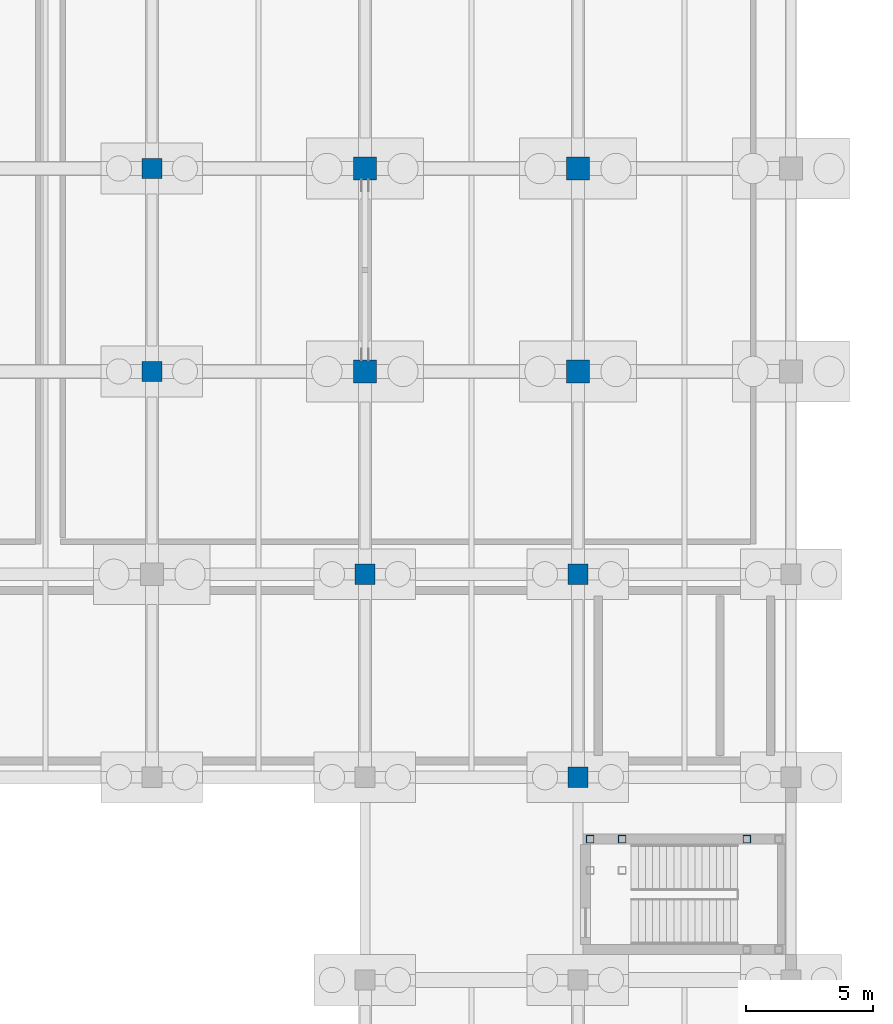
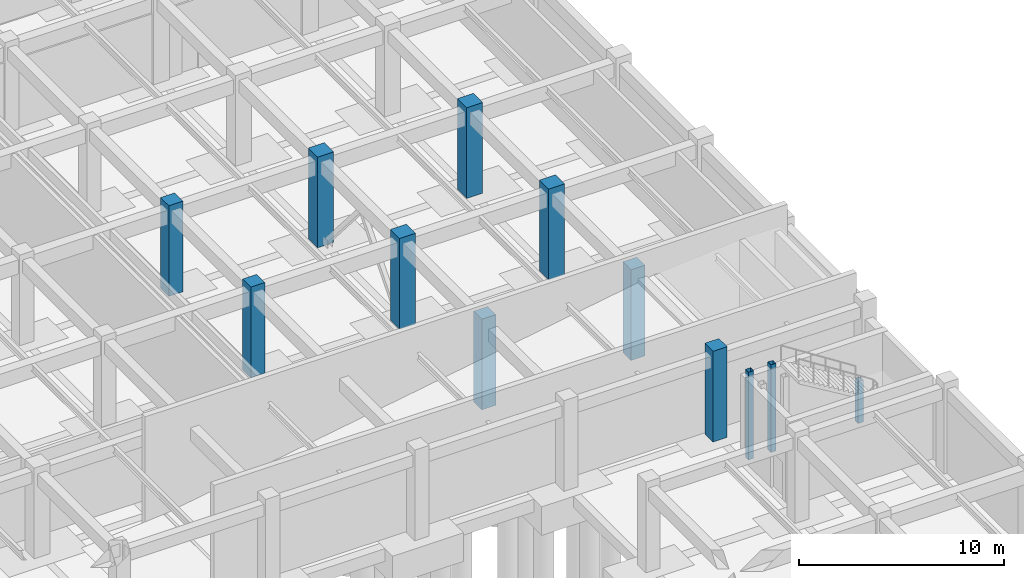
# One storey, part 22 of 56: 12 columns.
"""IFC4 building model written with IfcOpenShell, lengths in metres."""

import ifcopenshell
import ifcopenshell.guid

model = None  # the IFC model being written
_history = None  # IfcOwnerHistory: only IFC2X3 demands one
_inside = {}  # id of a spatial element -> (the spatial element, [elements in it])
_under = {}  # id of a project, library or spatial element -> (it, [spatial elements below it])
_declared = {}  # id of a project -> (the project, [libraries it declares])
_typed = {}  # id of a type object -> (the type object, [elements of that type])
_made_of = {}  # id of a material, layer set ... -> (it, [elements and type objects made of it])


def new_model(schema):
    """Start an empty IFC model of exactly this schema.

    Asked for "IFC4X3", IfcOpenShell would pick the latest addendum, in which some entities
    have other attributes; the version numbers below select the first issue.
    IFC2X3 requires an IfcOwnerHistory on every rooted entity: one is made here for all.
    """
    global model, _history
    if schema == "IFC4X3":
        model = ifcopenshell.file(schema_version=(4, 3, 0, 0))
    else:
        model = ifcopenshell.file(schema=schema)
    _inside.clear()
    _under.clear()
    _declared.clear()
    _typed.clear()
    _made_of.clear()
    _history = None
    if model.schema == "IFC2X3":
        org = make("IfcOrganization", Name="unknown")
        user = make(
            "IfcPersonAndOrganization",
            ThePerson=make("IfcPerson", FamilyName="unknown"),
            TheOrganization=org,
        )
        app = make(
            "IfcApplication",
            ApplicationDeveloper=org,
            Version="unknown",
            ApplicationFullName="unknown",
            ApplicationIdentifier="unknown",
        )
        _history = make(
            "IfcOwnerHistory",
            OwningUser=user,
            OwningApplication=app,
            ChangeAction="ADDED",
            CreationDate=0,
        )
    return model


def make(cls, **values):
    """One entity of the class cls with the attributes given. An attribute that is None is left unset."""
    return model.create_entity(
        cls, **{name: value for name, value in values.items() if value is not None}
    )


def rooted(cls, **values):
    """An entity with a GlobalId (a new one), such as an element, a storey or a relation."""
    return make(cls, GlobalId=ifcopenshell.guid.new(), OwnerHistory=_history, **values)


def si_unit(unit_type, name, prefix=None):
    """IfcSIUnit, for example si_unit("LENGTHUNIT", "METRE", prefix="MILLI")."""
    return make("IfcSIUnit", UnitType=unit_type, Prefix=prefix, Name=name)


def assignment(units):
    """IfcUnitAssignment: the units of a project."""
    return None if units is None else make("IfcUnitAssignment", Units=units)


def point(xyz):
    """IfcCartesianPoint."""
    return None if xyz is None else make("IfcCartesianPoint", Coordinates=xyz)


def direction(xyz):
    """IfcDirection."""
    return None if xyz is None else make("IfcDirection", DirectionRatios=xyz)


def frame(location, z_axis=None, x_axis=None):
    """IfcAxis2Placement3D, a coordinate frame: its origin and axes. An axis left out is left unset."""
    return make(
        "IfcAxis2Placement3D",
        Location=point(location),
        Axis=direction(z_axis),
        RefDirection=direction(x_axis),
    )


def frame_2d(location, x_axis=None):
    """IfcAxis2Placement2D, a coordinate frame in the plane: its origin and x axis."""
    return make(
        "IfcAxis2Placement2D", Location=point(location), RefDirection=direction(x_axis)
    )


def origin():
    """The frame at (0, 0, 0) with its axes left unset."""
    return frame((0.0, 0.0, 0.0))


def origin_2d():
    """The frame at (0, 0) in the plane with its x axis left unset."""
    return frame_2d((0.0, 0.0))


def place(relative_to, where):
    """IfcLocalPlacement: puts the frame where relative to a parent placement (None: the world)."""
    return make(
        "IfcLocalPlacement", PlacementRelTo=relative_to, RelativePlacement=where
    )


def context(
    kind, dimensions, precision=None, world=None, true_north=None, identifier=None
):
    """IfcGeometricRepresentationContext, for example the 3D "Model" context."""
    return make(
        "IfcGeometricRepresentationContext",
        ContextIdentifier=identifier,
        ContextType=kind,
        CoordinateSpaceDimension=dimensions,
        Precision=precision,
        WorldCoordinateSystem=world,
        TrueNorth=true_north,
    )


def subcontext(parent, identifier, kind, view, scale=None):
    """IfcGeometricRepresentationSubContext, for example "Body" below "Model"."""
    return make(
        "IfcGeometricRepresentationSubContext",
        ContextIdentifier=identifier,
        ContextType=kind,
        ParentContext=parent,
        TargetScale=scale,
        TargetView=view,
    )


def project(units=None, contexts=None):
    """IfcProject with its units and contexts."""
    return rooted(
        "IfcProject",
        Name="project",
        RepresentationContexts=contexts,
        UnitsInContext=assignment(units),
    )


def spatial(cls, under=None, at=None, **own):
    """A site, building, storey or space (cls), placed at a placement, below another one or the project."""
    s = rooted(cls, ObjectPlacement=at, **own)
    if under is not None:
        _under.setdefault(under.id(), (under, []))[1].append(s)
    return s


def profile(cls, at=None, kind="AREA", **sizes):
    """A parametric profile (cls). Its sizes go by their IFC names, for example OverallWidth=200.0."""
    return make(cls, ProfileType=kind, Position=at, **sizes)


def rectangle(**sizes):
    """IfcRectangleProfileDef."""
    return profile("IfcRectangleProfileDef", **sizes)


def hollow_rectangle(**sizes):
    """IfcRectangleHollowProfileDef."""
    return profile("IfcRectangleHollowProfileDef", **sizes)


def extrude(swept, where, along, depth):
    """IfcExtrudedAreaSolid: the profile swept, set in the frame where, extruded along a direction by depth."""
    return make(
        "IfcExtrudedAreaSolid",
        SweptArea=swept,
        Position=where,
        ExtrudedDirection=direction(along),
        Depth=depth,
    )


def shape(context_of_items, identifier, shape_type, items):
    """IfcShapeRepresentation: the items that make up one representation, for example the "Body"."""
    return make(
        "IfcShapeRepresentation",
        ContextOfItems=context_of_items,
        RepresentationIdentifier=identifier,
        RepresentationType=shape_type,
        Items=items,
    )


def material(Name=None, Category=None):
    """IfcMaterial."""
    return make("IfcMaterial", Name=Name, Category=Category)


def material_profile(
    of_material, cross_section, Name=None, Category=None, Priority=None
):
    """IfcMaterialProfile: a cross section and its material."""
    return make(
        "IfcMaterialProfile",
        Name=Name,
        Material=of_material,
        Profile=cross_section,
        Priority=Priority,
        Category=Category,
    )


def profile_set(profiles, Name=None, composite=None):
    """IfcMaterialProfileSet."""
    return make(
        "IfcMaterialProfileSet",
        Name=Name,
        MaterialProfiles=profiles,
        CompositeProfile=composite,
    )


def made_of(thing, what):
    """Note that an element or type object is made of a material, layer set ...; save() writes the relation."""
    if what is not None:
        _made_of.setdefault(what.id(), (what, []))[1].append(thing)
    return thing


def type_object(cls, material=None, **own):
    """A type object (cls), such as IfcWallType, which elements share."""
    return made_of(rooted(cls, **own), material)


def element(
    cls,
    number,
    at=None,
    inside=None,
    cuts=None,
    type_object=None,
    material=None,
    context=None,
    identifier="Body",
    shape_type=None,
    held_by="IfcProductDefinitionShape",
    body=None,
    shapes=None,
    **own,
):
    """One element of the class cls, such as IfcWall. Its Tag is "e" and its number.

    at: its placement. inside: the storey or other place that contains it. cuts: it is an
    opening in that element (IfcRelVoidsElement). A single representation is given by context,
    identifier, shape_type and body (its items); several are given by shapes. held_by: the class
    of the entity that holds the representations. save() writes the other relations.
    """
    e = rooted(cls, Tag="e%d" % number, ObjectPlacement=at, **own)
    if body is not None:
        shapes = [shape(context, identifier, shape_type, body)]
    if shapes is not None:
        e.Representation = make(held_by, Representations=shapes)
    if inside is not None:
        _inside.setdefault(inside.id(), (inside, []))[1].append(e)
    if cuts is not None:
        rooted(
            "IfcRelVoidsElement", RelatingBuildingElement=cuts, RelatedOpeningElement=e
        )
    if type_object is not None:
        _typed.setdefault(type_object.id(), (type_object, []))[1].append(e)
    return made_of(e, material)


def aggregate(whole, parts):
    """IfcRelAggregates: a whole, such as a stair, and the parts it consists of."""
    return rooted("IfcRelAggregates", RelatingObject=whole, RelatedObjects=parts)


def save(model, path):
    """Write the relations noted so far, then the file.

    IfcRelAggregates (storeys below a building ...), IfcRelContainedInSpatialStructure (elements
    in a storey), IfcRelDefinesByType, IfcRelAssociatesMaterial and IfcRelDeclares: one each for
    every whole, place, type object, material and project.
    """
    for whole, parts in _under.values():
        aggregate(whole, parts)
    for where, things in _inside.values():
        rooted(
            "IfcRelContainedInSpatialStructure",
            RelatedElements=things,
            RelatingStructure=where,
        )
    for kind, things in _typed.values():
        rooted("IfcRelDefinesByType", RelatedObjects=things, RelatingType=kind)
    for what, things in _made_of.values():
        rooted("IfcRelAssociatesMaterial", RelatedObjects=things, RelatingMaterial=what)
    for by, libraries in _declared.values():
        rooted("IfcRelDeclares", RelatingContext=by, RelatedDefinitions=libraries)
    model.write(path)


model = new_model("IFC4")

# Units and contexts
model_context = context("Model", 3, precision=1e-05, world=origin(), true_north=direction((0.0, 1.0)))
body_context = subcontext(model_context, "Body", "Model", "MODEL_VIEW")
ifc_project = project(units=[si_unit("LENGTHUNIT", "METRE"), si_unit("AREAUNIT", "SQUARE_METRE"), si_unit("VOLUMEUNIT", "CUBIC_METRE"), si_unit("PLANEANGLEUNIT", "RADIAN"), si_unit("MASSUNIT", "GRAM", prefix="KILO")], contexts=[model_context])

# Site, building, storey
site_placement = place(None, origin())
site = spatial("IfcSite", under=ifc_project, at=site_placement, CompositionType="ELEMENT")
building_placement = place(site_placement, origin())
building = spatial("IfcBuilding", under=site, at=building_placement, Name="Naruveol Harbour Congress Hotel", CompositionType="ELEMENT")
storey_placement = place(building_placement, frame((0.0, 0.0, -5.39990234375)))
storey = spatial("IfcBuildingStorey", under=building, at=storey_placement, Name="B01", CompositionType="ELEMENT", Elevation=-5.39990234375)

# Columns
ifc_material_1 = material(Name="Concrete C50/60", Category="concrete")
ifc_material_profile_1 = material_profile(ifc_material_1, rectangle(XDim=0.800048828125, YDim=0.800048828125, at=origin_2d()), Name="RC-800x800")
ifc_profile_set_1 = profile_set([ifc_material_profile_1], Name="Concrete C50/60")
column_type_1 = type_object("IfcColumnType", Name="RC PODIUM COLUMN 800X800", PredefinedType="COLUMN", material=ifc_profile_set_1)
for number, where, z_axis, x_axis, name in (
    (1, (100.800048828125, 80.0, 0.0), (0.0, 0.0, 1.0), (1.0, 0.0, 0.0), "Column C-800 B01 (100.8,80.0)"),
    (2, (100.800048828125, 88.0, 0.0), (0.0, 0.0, 1.0), (1.0, 0.0, 0.0), "Column C-800 B01 (100.8,88.0)"),
    (3, (109.199951171875, 72.0, 0.0), (0.0, 0.0, 1.0), (1.0, 0.0, 0.0), "Column C-800 B01 (109.2,72.0)"),
    (4, (117.60009765625, 64.0, 0.0), (0.0, 0.0, 1.0), (1.0, 0.0, 0.0), "Column C-800 B01 (117.6,64.0)"),
    (5, (117.60009765625, 72.0, 0.0), (0.0, 0.0, 1.0), (1.0, 0.0, 0.0), "Column C-800 B01 (117.6,72.0)"),
):
    element("IfcColumn", number, at=place(storey_placement, frame(where, z_axis=z_axis, x_axis=x_axis)), inside=storey, type_object=column_type_1, Name=name, PredefinedType="COLUMN", context=body_context, shape_type="SweptSolid", body=[
        extrude(rectangle(XDim=0.800048828125, YDim=0.800048828125, at=origin_2d()), origin(), (0.0, 0.0, 1.0), 5.39990234375),
    ])
ifc_material_2 = material(Name="Concrete C50/60", Category="concrete")
ifc_material_profile_2 = material_profile(ifc_material_2, rectangle(XDim=0.89990234375, YDim=0.89990234375, at=origin_2d()), Name="RC-900x900")
ifc_profile_set_2 = profile_set([ifc_material_profile_2], Name="Concrete C50/60")
column_type_2 = type_object("IfcColumnType", Name="RC PRIMARY COLUMN 900X900", PredefinedType="COLUMN", material=ifc_profile_set_2)
for number, where, z_axis, x_axis, name in (
    (6, (109.199951171875, 80.0, 0.0), (0.0, 0.0, 1.0), (1.0, 0.0, 0.0), "Column C-900 B01 (109.2,80.0)"),
    (7, (109.199951171875, 88.0, 0.0), (0.0, 0.0, 1.0), (1.0, 0.0, 0.0), "Column C-900 B01 (109.2,88.0)"),
    (8, (117.60009765625, 80.0, 0.0), (0.0, 0.0, 1.0), (1.0, 0.0, 0.0), "Column C-900 B01 (117.6,80.0)"),
    (9, (117.60009765625, 88.0, 0.0), (0.0, 0.0, 1.0), (1.0, 0.0, 0.0), "Column C-900 B01 (117.6,88.0)"),
):
    element("IfcColumn", number, at=place(storey_placement, frame(where, z_axis=z_axis, x_axis=x_axis)), inside=storey, type_object=column_type_2, Name=name, PredefinedType="COLUMN", context=body_context, shape_type="SweptSolid", body=[
        extrude(rectangle(XDim=0.89990234375, YDim=0.89990234375, at=origin_2d()), origin(), (0.0, 0.0, 1.0), 5.39990234375),
    ])
ifc_material_3 = material(Name="Steel SN490", Category="steel")
ifc_material_profile_3 = material_profile(ifc_material_3, hollow_rectangle(XDim=0.300048828125, YDim=0.300048828125, WallThickness=0.011962890625, at=origin_2d()), Name="SHS-300x300x12")
ifc_profile_set_3 = profile_set([ifc_material_profile_3], Name="Steel SN490")
column_type_3 = type_object("IfcColumnType", Name="STEEL COLONNADE POST SHS300", PredefinedType="COLUMN", material=ifc_profile_set_3)
for number, where, z_axis, x_axis, name in (
    (10, (118.080078125, 61.56005859375, 0.0), (0.0, 0.0, 1.0), (1.0, 0.0, 0.0), "Stair landing support post ST9W #429"),
    (11, (119.340087890625, 61.56005859375, 0.0), (0.0, 0.0, 1.0), (1.0, 0.0, 0.0), "Stair landing support post ST9W #437"),
):
    element("IfcColumn", number, at=place(storey_placement, frame(where, z_axis=z_axis, x_axis=x_axis)), inside=storey, type_object=column_type_3, Name=name, PredefinedType="COLUMN", context=body_context, shape_type="SweptSolid", body=[
        extrude(hollow_rectangle(XDim=0.300048828125, YDim=0.300048828125, WallThickness=0.011962890625, at=origin_2d()), origin(), (0.0, 0.0, 1.0), 5.219970703125),
    ])
column_placement = place(storey_placement, frame((124.260009765625, 61.56005859375, 0.0), z_axis=(0.0, 0.0, 1.0), x_axis=(1.0, 0.0, 0.0)))
element("IfcColumn", 12, at=column_placement, inside=storey, type_object=column_type_3, Name="Stair landing support post ST9E #445", PredefinedType="COLUMN", context=body_context, shape_type="SweptSolid", body=[
    extrude(hollow_rectangle(XDim=0.300048828125, YDim=0.300048828125, WallThickness=0.011962890625, at=origin_2d()), origin(), (0.0, 0.0, 1.0), 2.52001953125),
])

save(model, "model.ifc")
